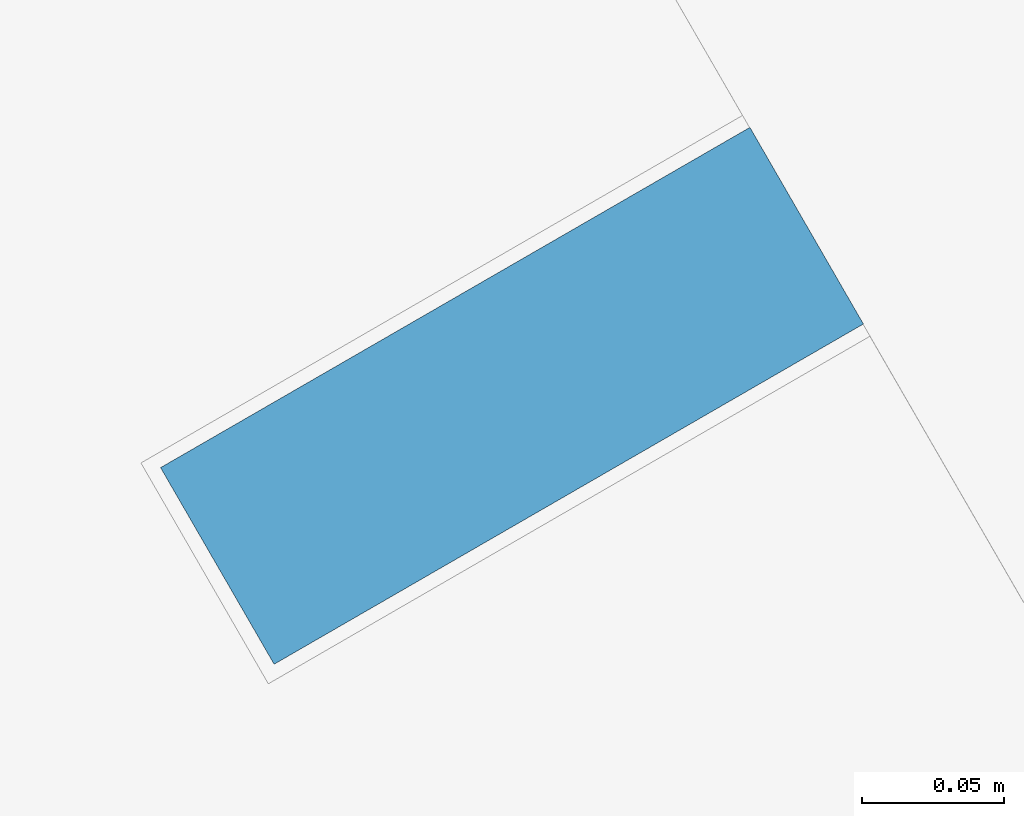
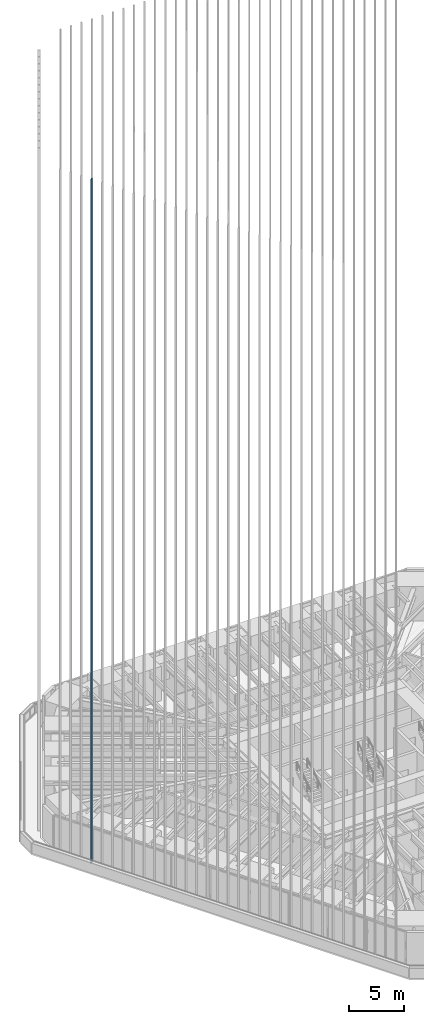
# One storey, part 51 of 238: 1 member, 1 element without a shape of its own.
"""IFC4 building model written with IfcOpenShell, lengths in metres."""

from ifc_helpers import new_model, si_unit, direction, frame, origin, origin_2d, place, context, subcontext, project, spatial, rectangle, extrude, material, material_profile, profile_set, type_object, element, aggregate, save


model = new_model("IFC4")

# Units and contexts
model_context = context("Model", 3, precision=1e-05, world=origin(), true_north=direction((0.0, 1.0)))
body_context = subcontext(model_context, "Body", "Model", "MODEL_VIEW")
ifc_project = project(units=[si_unit("LENGTHUNIT", "METRE"), si_unit("AREAUNIT", "SQUARE_METRE"), si_unit("VOLUMEUNIT", "CUBIC_METRE"), si_unit("PLANEANGLEUNIT", "RADIAN"), si_unit("MASSUNIT", "GRAM", prefix="KILO")], contexts=[model_context])

# Site, building, storey
site_placement = place(None, origin())
site = spatial("IfcSite", under=ifc_project, at=site_placement, CompositionType="ELEMENT")
building_placement = place(site_placement, origin())
building = spatial("IfcBuilding", under=site, at=building_placement, Name="Sandreach Pilgrim Tower", CompositionType="ELEMENT")
storey_placement = place(building_placement, frame((0.0, 0.0, 96.800048828125)))
storey = spatial("IfcBuildingStorey", under=building, at=storey_placement, Name="L23", CompositionType="ELEMENT", Elevation=96.800048828125)

# Curtain wall, member
ifc_material_1 = material(Name="Aluminium framed curtain wall", Category="aluminium")
curtain_wall_type = type_object("IfcCurtainWallType", Name="Hotel tower curtain wall", PredefinedType="NOTDEFINED", material=ifc_material_1)
curtain_wall_placement = place(storey_placement, origin())
curtain_wall = element("IfcCurtainWall", 1, at=curtain_wall_placement, inside=storey, type_object=curtain_wall_type, Name="CW-2 L23 SW", PredefinedType="NOTDEFINED")
ifc_material_2 = material(Name="Extruded terracotta on aluminium core", Category="masonry")
ifc_material_profile = material_profile(ifc_material_2, rectangle(XDim=0.080078125, YDim=0.239990234375, at=origin_2d()), Name="TBW 80X240")
ifc_profile_set = profile_set([ifc_material_profile], Name="Extruded terracotta on aluminium core")
member_type = type_object("IfcMemberType", Name="Terracotta baguette west", PredefinedType="USERDEFINED", material=ifc_profile_set)
member_placement = place(storey_placement, frame((-27.0029296875, 0.943115234375, 0.0), z_axis=(0.0, 0.0, 1.0), x_axis=(-0.5, 0.866025403784, 0.0)))
member = element("IfcMember", 2, at=member_placement, type_object=member_type, Name="Baguette Z2 SW30", ObjectType="BAGUETTE", PredefinedType="USERDEFINED", context=body_context, shape_type="SweptSolid", body=[
    extrude(rectangle(XDim=0.080078125, YDim=0.239990234375, at=origin_2d()), origin(), (0.0, 0.0, 1.0), 75.83984375),
])
aggregate(curtain_wall, [member])

save(model, "model.ifc")
